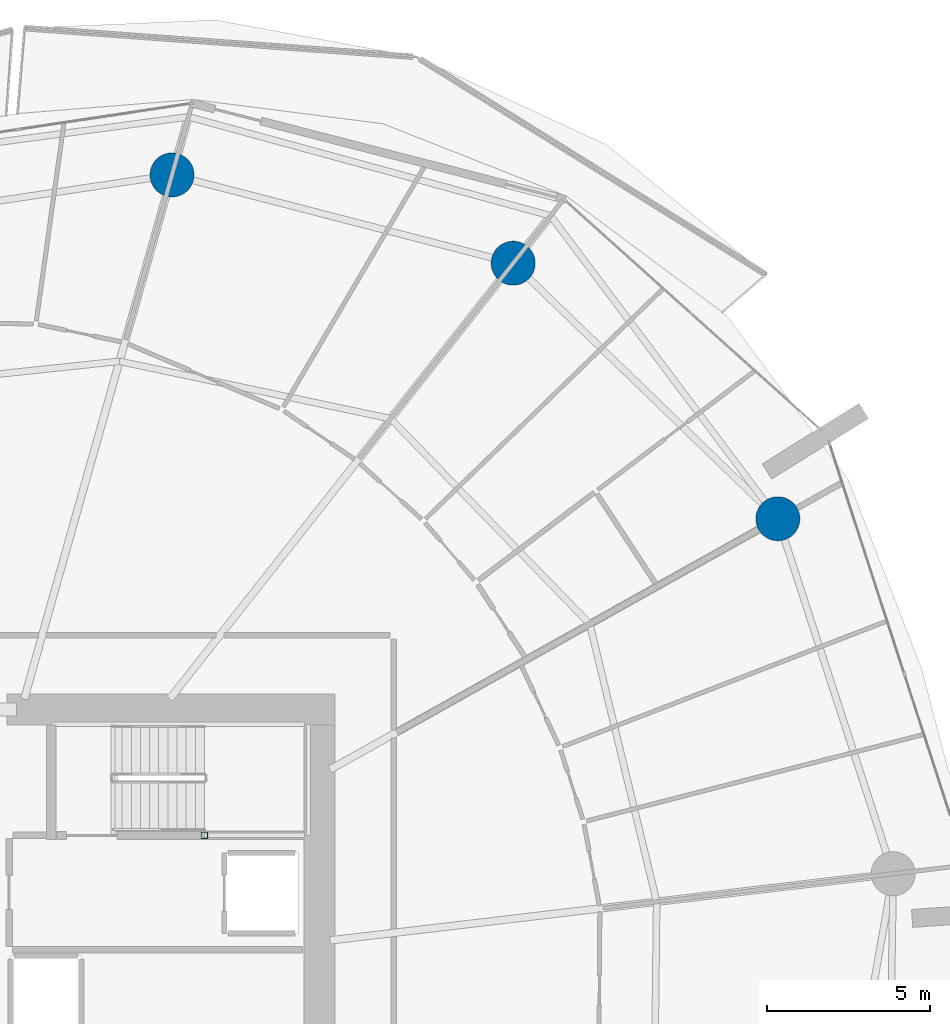
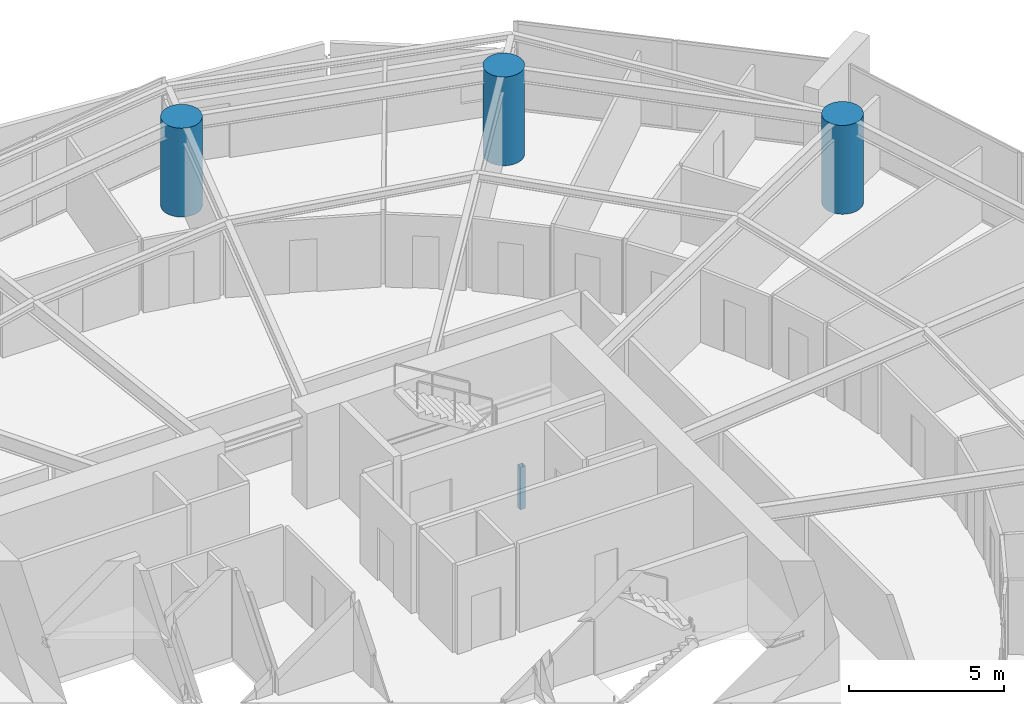
# One storey, part 5 of 31: 4 columns.
"""IFC4 building model written with IfcOpenShell, lengths in metres."""

from ifc_helpers import new_model, si_unit, direction, frame, origin, origin_2d, place, context, subcontext, project, spatial, hollow_rectangle, circle, extrude, material, material_profile, profile_set, type_object, element, save


model = new_model("IFC4")

# Units and contexts
model_context = context("Model", 3, precision=1e-05, world=origin(), true_north=direction((0.0, 1.0)))
body_context = subcontext(model_context, "Body", "Model", "MODEL_VIEW")
ifc_project = project(units=[si_unit("LENGTHUNIT", "METRE"), si_unit("AREAUNIT", "SQUARE_METRE"), si_unit("VOLUMEUNIT", "CUBIC_METRE"), si_unit("PLANEANGLEUNIT", "RADIAN"), si_unit("MASSUNIT", "GRAM", prefix="KILO")], contexts=[model_context])

# Site, building, storey
site_placement = place(None, origin())
site = spatial("IfcSite", under=ifc_project, at=site_placement, CompositionType="ELEMENT")
building_placement = place(site_placement, origin())
building = spatial("IfcBuilding", under=site, at=building_placement, Name="Kazma Halo Residences", CompositionType="ELEMENT")
storey_placement = place(building_placement, frame((0.0, 0.0, 33.89990234375)))
storey = spatial("IfcBuildingStorey", under=building, at=storey_placement, Name="L07", CompositionType="ELEMENT", Elevation=33.89990234375)

# Columns
ifc_material_1 = material(Name="Steel S355", Category="steel")
ifc_material_profile_1 = material_profile(ifc_material_1, hollow_rectangle(XDim=0.199951171875, YDim=0.199951171875, WallThickness=0.010009765625, InnerFilletRadius=0.010009765625, OuterFilletRadius=0.02001953125, at=origin_2d()), Name="SHS200x200x10")
ifc_profile_set_1 = profile_set([ifc_material_profile_1], Name="Steel S355")
column_type_1 = type_object("IfcColumnType", Name="COL-LP-SHS200", PredefinedType="COLUMN", material=ifc_profile_set_1)
column_placement = place(storey_placement, frame((56.0, 46.6201171875, 0.0), z_axis=(0.0, 0.0, 1.0), x_axis=(1.0, 0.0, 0.0)))
element("IfcColumn", 1, at=column_placement, inside=storey, type_object=column_type_1, Name="L07 ST-02 landing pilaster 1", PredefinedType="COLUMN", context=body_context, shape_type="SweptSolid", body=[
    extrude(hollow_rectangle(XDim=0.199951171875, YDim=0.199951171875, WallThickness=0.010009765625, InnerFilletRadius=0.010009765625, OuterFilletRadius=0.02001953125, at=origin_2d()), origin(), (0.0, 0.0, 1.0), 1.670166015625),
])
ifc_material_2 = material(Name="Concrete C80/95", Category="concrete")
ifc_material_profile_2 = material_profile(ifc_material_2, circle(Radius=0.675048828125, at=origin_2d()), Name="CIRC1350")
ifc_profile_set_2 = profile_set([ifc_material_profile_2], Name="Concrete C80/95")
column_type_2 = type_object("IfcColumnType", Name="COL-PERIM-1350", PredefinedType="COLUMN", material=ifc_profile_set_2)
for number, where, z_axis, x_axis, name in (
    (2, (73.56494140625, 56.317138671875, 0.0), (0.0, 0.0, 1.0), (1.0, 0.0, 0.0), "L07 perimeter ring column P01"),
    (3, (65.458251953125, 64.145751953125, 0.0), (0.0, 0.0, 1.0), (1.0, 0.0, 0.0), "L07 perimeter ring column P02"),
    (4, (55.00830078125, 66.849365234375, 0.0), (0.0, 0.0, 1.0), (1.0, 0.0, 0.0), "L07 perimeter ring column P03"),
):
    element("IfcColumn", number, at=place(storey_placement, frame(where, z_axis=z_axis, x_axis=x_axis)), inside=storey, type_object=column_type_2, Name=name, PredefinedType="COLUMN", context=body_context, shape_type="SweptSolid", body=[
        extrude(circle(Radius=0.675048828125, at=origin_2d()), origin(), (0.0, 0.0, 1.0), 3.5),
    ])

save(model, "model.ifc")
